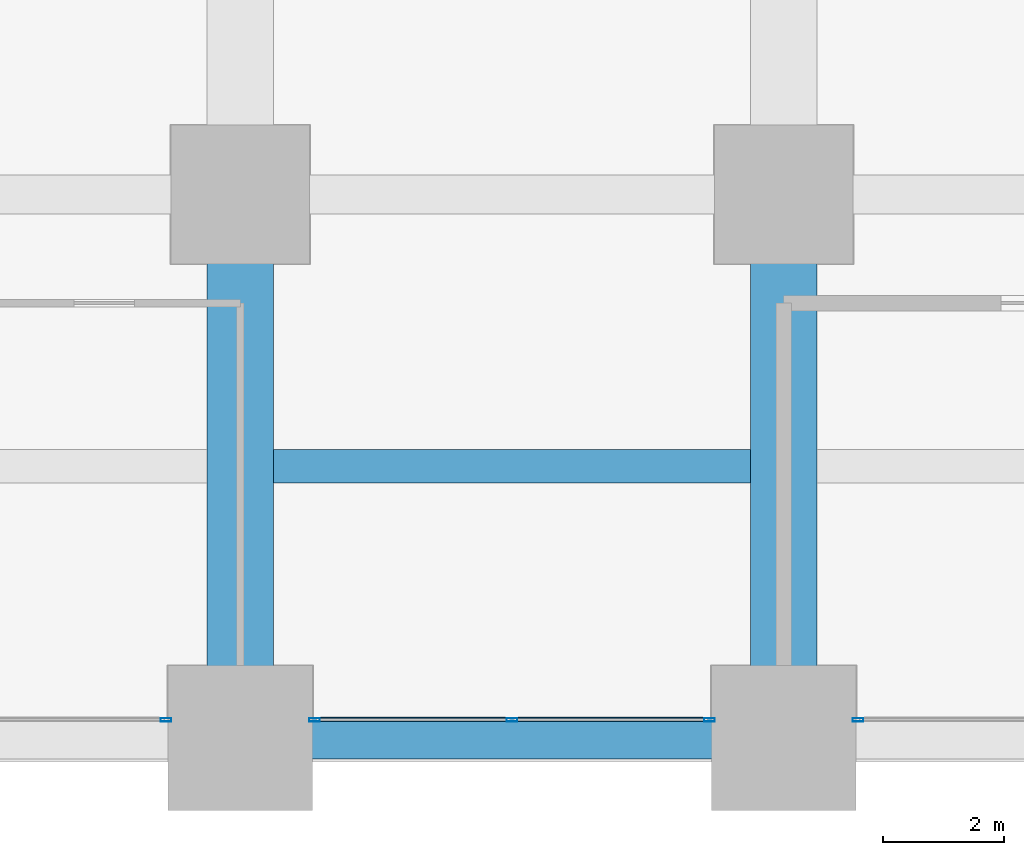
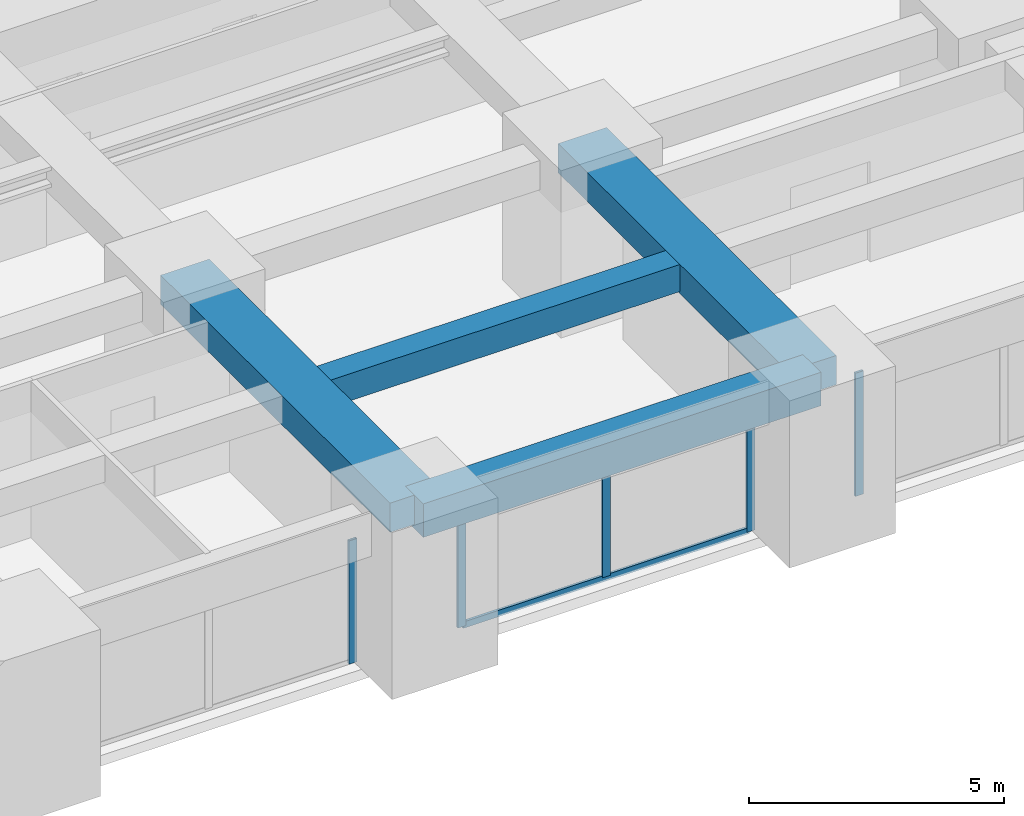
# One storey, part 13 of 44: 6 members, 4 beams, 3 elements without a shape of their own.
"""IFC4 building model written with IfcOpenShell, lengths in metres."""

import ifcopenshell
import ifcopenshell.guid

model = None  # the IFC model being written
_history = None  # IfcOwnerHistory: only IFC2X3 demands one
_inside = {}  # id of a spatial element -> (the spatial element, [elements in it])
_under = {}  # id of a project, library or spatial element -> (it, [spatial elements below it])
_declared = {}  # id of a project -> (the project, [libraries it declares])
_typed = {}  # id of a type object -> (the type object, [elements of that type])
_made_of = {}  # id of a material, layer set ... -> (it, [elements and type objects made of it])


def new_model(schema):
    """Start an empty IFC model of exactly this schema.

    Asked for "IFC4X3", IfcOpenShell would pick the latest addendum, in which some entities
    have other attributes; the version numbers below select the first issue.
    IFC2X3 requires an IfcOwnerHistory on every rooted entity: one is made here for all.
    """
    global model, _history
    if schema == "IFC4X3":
        model = ifcopenshell.file(schema_version=(4, 3, 0, 0))
    else:
        model = ifcopenshell.file(schema=schema)
    _inside.clear()
    _under.clear()
    _declared.clear()
    _typed.clear()
    _made_of.clear()
    _history = None
    if model.schema == "IFC2X3":
        org = make("IfcOrganization", Name="unknown")
        user = make(
            "IfcPersonAndOrganization",
            ThePerson=make("IfcPerson", FamilyName="unknown"),
            TheOrganization=org,
        )
        app = make(
            "IfcApplication",
            ApplicationDeveloper=org,
            Version="unknown",
            ApplicationFullName="unknown",
            ApplicationIdentifier="unknown",
        )
        _history = make(
            "IfcOwnerHistory",
            OwningUser=user,
            OwningApplication=app,
            ChangeAction="ADDED",
            CreationDate=0,
        )
    return model


def make(cls, **values):
    """One entity of the class cls with the attributes given. An attribute that is None is left unset."""
    return model.create_entity(
        cls, **{name: value for name, value in values.items() if value is not None}
    )


def rooted(cls, **values):
    """An entity with a GlobalId (a new one), such as an element, a storey or a relation."""
    return make(cls, GlobalId=ifcopenshell.guid.new(), OwnerHistory=_history, **values)


def si_unit(unit_type, name, prefix=None):
    """IfcSIUnit, for example si_unit("LENGTHUNIT", "METRE", prefix="MILLI")."""
    return make("IfcSIUnit", UnitType=unit_type, Prefix=prefix, Name=name)


def assignment(units):
    """IfcUnitAssignment: the units of a project."""
    return None if units is None else make("IfcUnitAssignment", Units=units)


def point(xyz):
    """IfcCartesianPoint."""
    return None if xyz is None else make("IfcCartesianPoint", Coordinates=xyz)


def direction(xyz):
    """IfcDirection."""
    return None if xyz is None else make("IfcDirection", DirectionRatios=xyz)


def frame(location, z_axis=None, x_axis=None):
    """IfcAxis2Placement3D, a coordinate frame: its origin and axes. An axis left out is left unset."""
    return make(
        "IfcAxis2Placement3D",
        Location=point(location),
        Axis=direction(z_axis),
        RefDirection=direction(x_axis),
    )


def frame_2d(location, x_axis=None):
    """IfcAxis2Placement2D, a coordinate frame in the plane: its origin and x axis."""
    return make(
        "IfcAxis2Placement2D", Location=point(location), RefDirection=direction(x_axis)
    )


def origin():
    """The frame at (0, 0, 0) with its axes left unset."""
    return frame((0.0, 0.0, 0.0))


def origin_2d():
    """The frame at (0, 0) in the plane with its x axis left unset."""
    return frame_2d((0.0, 0.0))


def place(relative_to, where):
    """IfcLocalPlacement: puts the frame where relative to a parent placement (None: the world)."""
    return make(
        "IfcLocalPlacement", PlacementRelTo=relative_to, RelativePlacement=where
    )


def context(
    kind, dimensions, precision=None, world=None, true_north=None, identifier=None
):
    """IfcGeometricRepresentationContext, for example the 3D "Model" context."""
    return make(
        "IfcGeometricRepresentationContext",
        ContextIdentifier=identifier,
        ContextType=kind,
        CoordinateSpaceDimension=dimensions,
        Precision=precision,
        WorldCoordinateSystem=world,
        TrueNorth=true_north,
    )


def subcontext(parent, identifier, kind, view, scale=None):
    """IfcGeometricRepresentationSubContext, for example "Body" below "Model"."""
    return make(
        "IfcGeometricRepresentationSubContext",
        ContextIdentifier=identifier,
        ContextType=kind,
        ParentContext=parent,
        TargetScale=scale,
        TargetView=view,
    )


def project(units=None, contexts=None):
    """IfcProject with its units and contexts."""
    return rooted(
        "IfcProject",
        Name="project",
        RepresentationContexts=contexts,
        UnitsInContext=assignment(units),
    )


def spatial(cls, under=None, at=None, **own):
    """A site, building, storey or space (cls), placed at a placement, below another one or the project."""
    s = rooted(cls, ObjectPlacement=at, **own)
    if under is not None:
        _under.setdefault(under.id(), (under, []))[1].append(s)
    return s


def profile(cls, at=None, kind="AREA", **sizes):
    """A parametric profile (cls). Its sizes go by their IFC names, for example OverallWidth=200.0."""
    return make(cls, ProfileType=kind, Position=at, **sizes)


def rectangle(**sizes):
    """IfcRectangleProfileDef."""
    return profile("IfcRectangleProfileDef", **sizes)


def hollow_rectangle(**sizes):
    """IfcRectangleHollowProfileDef."""
    return profile("IfcRectangleHollowProfileDef", **sizes)


def extrude(swept, where, along, depth):
    """IfcExtrudedAreaSolid: the profile swept, set in the frame where, extruded along a direction by depth."""
    return make(
        "IfcExtrudedAreaSolid",
        SweptArea=swept,
        Position=where,
        ExtrudedDirection=direction(along),
        Depth=depth,
    )


def shape(context_of_items, identifier, shape_type, items):
    """IfcShapeRepresentation: the items that make up one representation, for example the "Body"."""
    return make(
        "IfcShapeRepresentation",
        ContextOfItems=context_of_items,
        RepresentationIdentifier=identifier,
        RepresentationType=shape_type,
        Items=items,
    )


def material(Name=None, Category=None):
    """IfcMaterial."""
    return make("IfcMaterial", Name=Name, Category=Category)


def material_profile(
    of_material, cross_section, Name=None, Category=None, Priority=None
):
    """IfcMaterialProfile: a cross section and its material."""
    return make(
        "IfcMaterialProfile",
        Name=Name,
        Material=of_material,
        Profile=cross_section,
        Priority=Priority,
        Category=Category,
    )


def profile_set(profiles, Name=None, composite=None):
    """IfcMaterialProfileSet."""
    return make(
        "IfcMaterialProfileSet",
        Name=Name,
        MaterialProfiles=profiles,
        CompositeProfile=composite,
    )


def made_of(thing, what):
    """Note that an element or type object is made of a material, layer set ...; save() writes the relation."""
    if what is not None:
        _made_of.setdefault(what.id(), (what, []))[1].append(thing)
    return thing


def type_object(cls, material=None, **own):
    """A type object (cls), such as IfcWallType, which elements share."""
    return made_of(rooted(cls, **own), material)


def element(
    cls,
    number,
    at=None,
    inside=None,
    cuts=None,
    type_object=None,
    material=None,
    context=None,
    identifier="Body",
    shape_type=None,
    held_by="IfcProductDefinitionShape",
    body=None,
    shapes=None,
    **own,
):
    """One element of the class cls, such as IfcWall. Its Tag is "e" and its number.

    at: its placement. inside: the storey or other place that contains it. cuts: it is an
    opening in that element (IfcRelVoidsElement). A single representation is given by context,
    identifier, shape_type and body (its items); several are given by shapes. held_by: the class
    of the entity that holds the representations. save() writes the other relations.
    """
    e = rooted(cls, Tag="e%d" % number, ObjectPlacement=at, **own)
    if body is not None:
        shapes = [shape(context, identifier, shape_type, body)]
    if shapes is not None:
        e.Representation = make(held_by, Representations=shapes)
    if inside is not None:
        _inside.setdefault(inside.id(), (inside, []))[1].append(e)
    if cuts is not None:
        rooted(
            "IfcRelVoidsElement", RelatingBuildingElement=cuts, RelatedOpeningElement=e
        )
    if type_object is not None:
        _typed.setdefault(type_object.id(), (type_object, []))[1].append(e)
    return made_of(e, material)


def aggregate(whole, parts):
    """IfcRelAggregates: a whole, such as a stair, and the parts it consists of."""
    return rooted("IfcRelAggregates", RelatingObject=whole, RelatedObjects=parts)


def save(model, path):
    """Write the relations noted so far, then the file.

    IfcRelAggregates (storeys below a building ...), IfcRelContainedInSpatialStructure (elements
    in a storey), IfcRelDefinesByType, IfcRelAssociatesMaterial and IfcRelDeclares: one each for
    every whole, place, type object, material and project.
    """
    for whole, parts in _under.values():
        aggregate(whole, parts)
    for where, things in _inside.values():
        rooted(
            "IfcRelContainedInSpatialStructure",
            RelatedElements=things,
            RelatingStructure=where,
        )
    for kind, things in _typed.values():
        rooted("IfcRelDefinesByType", RelatedObjects=things, RelatingType=kind)
    for what, things in _made_of.values():
        rooted("IfcRelAssociatesMaterial", RelatedObjects=things, RelatingMaterial=what)
    for by, libraries in _declared.values():
        rooted("IfcRelDeclares", RelatingContext=by, RelatedDefinitions=libraries)
    model.write(path)


model = new_model("IFC4")

# Units and contexts
model_context = context("Model", 3, precision=1e-05, world=origin(), true_north=direction((0.0, 1.0)))
body_context = subcontext(model_context, "Body", "Model", "MODEL_VIEW")
ifc_project = project(units=[si_unit("LENGTHUNIT", "METRE"), si_unit("AREAUNIT", "SQUARE_METRE"), si_unit("VOLUMEUNIT", "CUBIC_METRE"), si_unit("PLANEANGLEUNIT", "RADIAN"), si_unit("MASSUNIT", "GRAM", prefix="KILO")], contexts=[model_context])

# Site, building, storey
site_placement = place(None, origin())
site = spatial("IfcSite", under=ifc_project, at=site_placement, CompositionType="ELEMENT")
building_placement = place(site_placement, origin())
building = spatial("IfcBuilding", under=site, at=building_placement, Name="Zorevar Civic Tower", CompositionType="ELEMENT")
storey_placement = place(building_placement, frame((0.0, 0.0, 35.800048828125)))
storey = spatial("IfcBuildingStorey", under=building, at=storey_placement, Name="L08", CompositionType="ELEMENT", Elevation=35.800048828125)

# Beams
ifc_material_1 = material(Name="Concrete C50/60", Category="concrete")
ifc_material_profile_1 = material_profile(ifc_material_1, rectangle(XDim=1.10009765625, YDim=0.699951171875, at=origin_2d()), Name="RC 1100x700")
ifc_profile_set_1 = profile_set([ifc_material_profile_1], Name="Concrete C50/60")
beam_type_1 = type_object("IfcBeamType", Name="Beam RC 1100x700", PredefinedType="BEAM", material=ifc_profile_set_1)
for number, where, z_axis, x_axis, name in (
    (1, (36.0, 0.0, 3.39990234375), (0.0, 1.0, 0.0), (-1.0, 0.0, 0.0), "Girder L09"),
    (2, (45.0, 0.0, 3.39990234375), (0.0, 1.0, 0.0), (-1.0, 0.0, 0.0), "Girder L09"),
):
    element("IfcBeam", number, at=place(storey_placement, frame(where, z_axis=z_axis, x_axis=x_axis)), inside=storey, type_object=beam_type_1, Name=name, PredefinedType="BEAM", context=body_context, shape_type="SweptSolid", body=[
        extrude(rectangle(XDim=1.10009765625, YDim=0.699951171875, at=origin_2d()), origin(), (0.0, 0.0, 1.0), 9.0),
    ])
ifc_material_2 = material(Name="Concrete C50/60", Category="concrete")
ifc_material_profile_2 = material_profile(ifc_material_2, rectangle(XDim=0.550048828125, YDim=0.64990234375, at=origin_2d()), Name="RC 550x650")
ifc_profile_set_2 = profile_set([ifc_material_profile_2], Name="Concrete C50/60")
beam_type_2 = type_object("IfcBeamType", Name="Beam RC 550x650", PredefinedType="BEAM", material=ifc_profile_set_2)
beam_1_placement = place(storey_placement, frame((36.550048828125, 4.5, 3.425048828125), z_axis=(1.0, 0.0, 0.0), x_axis=(0.0, 1.0, 0.0)))
element("IfcBeam", 3, at=beam_1_placement, inside=storey, type_object=beam_type_2, Name="Secondary beam L09", PredefinedType="BEAM", context=body_context, shape_type="SweptSolid", body=[
    extrude(rectangle(XDim=0.550048828125, YDim=0.64990234375, at=origin_2d()), origin(), (0.0, 0.0, 1.0), 7.89990234375),
])

# Curtain wall, member
ifc_material_3 = material(Name="Dark grey solar-control glass in black aluminium frame", Category="aluminium")
curtain_wall_type = type_object("IfcCurtainWallType", Name="Curtain wall CW2 low zone", PredefinedType="NOTDEFINED", material=ifc_material_3)
curtain_wall_1_placement = place(storey_placement, origin())
curtain_wall_1 = element("IfcCurtainWall", 4, at=curtain_wall_1_placement, inside=storey, type_object=curtain_wall_type, Name="CW2 L08", PredefinedType="NOTDEFINED")
ifc_material_4 = material(Name="Aluminium, black anodised", Category="aluminium")
ifc_material_profile_3 = material_profile(ifc_material_4, hollow_rectangle(XDim=0.06005859375, YDim=0.179931640625, WallThickness=0.00390625, at=origin_2d()), Name="AL 180x60x4")
ifc_profile_set_3 = profile_set([ifc_material_profile_3], Name="Aluminium, black anodised")
member_type_1 = type_object("IfcMemberType", Name="CW2 mullion AL 180x60x4", PredefinedType="MULLION", material=ifc_profile_set_3)
member_1_placement = place(storey_placement, frame((34.77001953125, 0.300048828125, 0.0), z_axis=(0.0, 0.0, 1.0), x_axis=(0.0, 1.0, 0.0)))
member_1 = element("IfcMember", 5, at=member_1_placement, type_object=member_type_1, Name="CW2 mullion 3", PredefinedType="MULLION", context=body_context, shape_type="SweptSolid", body=[
    extrude(hollow_rectangle(XDim=0.06005859375, YDim=0.179931640625, WallThickness=0.00390625, at=origin_2d()), origin(), (0.0, 0.0, 1.0), 2.949951171875),
])
aggregate(curtain_wall_1, [member_1])

# Curtain wall, members
curtain_wall_2_placement = place(storey_placement, origin())
curtain_wall_2 = element("IfcCurtainWall", 6, at=curtain_wall_2_placement, inside=storey, type_object=curtain_wall_type, Name="CW2 L08", PredefinedType="NOTDEFINED")
member_2_placement = place(storey_placement, frame((37.22998046875, 0.300048828125, 0.0), z_axis=(0.0, 0.0, 1.0), x_axis=(0.0, 1.0, 0.0)))
member_2 = element("IfcMember", 7, at=member_2_placement, type_object=member_type_1, Name="CW2 mullion 1", PredefinedType="MULLION", context=body_context, shape_type="SweptSolid", body=[
    extrude(hollow_rectangle(XDim=0.06005859375, YDim=0.179931640625, WallThickness=0.00390625, at=origin_2d()), origin(), (0.0, 0.0, 1.0), 2.949951171875),
])
member_3_placement = place(storey_placement, frame((40.5, 0.300048828125, 0.06005859375), z_axis=(0.0, 0.0, 1.0), x_axis=(0.0, 1.0, 0.0)))
member_3 = element("IfcMember", 8, at=member_3_placement, type_object=member_type_1, Name="CW2 mullion 2", PredefinedType="MULLION", context=body_context, shape_type="SweptSolid", body=[
    extrude(hollow_rectangle(XDim=0.06005859375, YDim=0.179931640625, WallThickness=0.00390625, at=origin_2d()), origin(), (0.0, 0.0, 1.0), 2.889892578125),
])
member_4_placement = place(storey_placement, frame((43.77001953125, 0.300048828125, 0.0), z_axis=(0.0, 0.0, 1.0), x_axis=(0.0, 1.0, 0.0)))
member_4 = element("IfcMember", 9, at=member_4_placement, type_object=member_type_1, Name="CW2 mullion 3", PredefinedType="MULLION", context=body_context, shape_type="SweptSolid", body=[
    extrude(hollow_rectangle(XDim=0.06005859375, YDim=0.179931640625, WallThickness=0.00390625, at=origin_2d()), origin(), (0.0, 0.0, 1.0), 2.949951171875),
])

# Curtain wall, member
curtain_wall_3_placement = place(storey_placement, origin())
curtain_wall_3 = element("IfcCurtainWall", 10, at=curtain_wall_3_placement, inside=storey, type_object=curtain_wall_type, Name="CW2 L08", PredefinedType="NOTDEFINED")
member_5_placement = place(storey_placement, frame((46.22998046875, 0.300048828125, 0.0), z_axis=(0.0, 0.0, 1.0), x_axis=(0.0, 1.0, 0.0)))
member_5 = element("IfcMember", 11, at=member_5_placement, type_object=member_type_1, Name="CW2 mullion 1", PredefinedType="MULLION", context=body_context, shape_type="SweptSolid", body=[
    extrude(hollow_rectangle(XDim=0.06005859375, YDim=0.179931640625, WallThickness=0.00390625, at=origin_2d()), origin(), (0.0, 0.0, 1.0), 2.949951171875),
])
aggregate(curtain_wall_3, [member_5])

# Member
ifc_material_5 = material(Name="Aluminium, black anodised", Category="aluminium")
ifc_material_profile_4 = material_profile(ifc_material_5, hollow_rectangle(XDim=0.06005859375, YDim=0.14990234375, WallThickness=0.00390625, at=origin_2d()), Name="AL 150x60x4")
ifc_profile_set_4 = profile_set([ifc_material_profile_4], Name="Aluminium, black anodised")
member_type_2 = type_object("IfcMemberType", Name="CW2 transom AL 150x60x4", PredefinedType="USERDEFINED", material=ifc_profile_set_4)
member_6_placement = place(storey_placement, frame((37.260009765625, 0.300048828125, 0.030029296875), z_axis=(1.0, 0.0, 0.0), x_axis=(0.0, 1.0, 0.0)))
member_6 = element("IfcMember", 12, at=member_6_placement, type_object=member_type_2, Name="CW2 sill transom", ObjectType="TRANSOM", PredefinedType="USERDEFINED", context=body_context, shape_type="SweptSolid", body=[
    extrude(hollow_rectangle(XDim=0.06005859375, YDim=0.14990234375, WallThickness=0.00390625, at=origin_2d()), origin(), (0.0, 0.0, 1.0), 6.47998046875),
])

aggregate(curtain_wall_2, [member_2, member_3, member_4, member_6])

# Beam
ifc_material_6 = material(Name="Concrete C50/60", Category="concrete")
ifc_material_profile_5 = material_profile(ifc_material_6, rectangle(XDim=0.699951171875, YDim=0.800048828125, at=origin_2d()), Name="RC 700x800")
ifc_profile_set_5 = profile_set([ifc_material_profile_5], Name="Concrete C50/60")
beam_type_3 = type_object("IfcBeamType", Name="Edge beam RC 700x800", PredefinedType="SPANDREL", material=ifc_profile_set_5)
beam_2_placement = place(storey_placement, frame((36.0, 0.0, 3.349853515625), z_axis=(1.0, 0.0, 0.0), x_axis=(0.0, 1.0, 0.0)))
element("IfcBeam", 13, at=beam_2_placement, inside=storey, type_object=beam_type_3, Name="Edge beam L09", PredefinedType="SPANDREL", context=body_context, shape_type="SweptSolid", body=[
    extrude(rectangle(XDim=0.699951171875, YDim=0.800048828125, at=origin_2d()), origin(), (0.0, 0.0, 1.0), 9.0),
])

save(model, "model.ifc")
